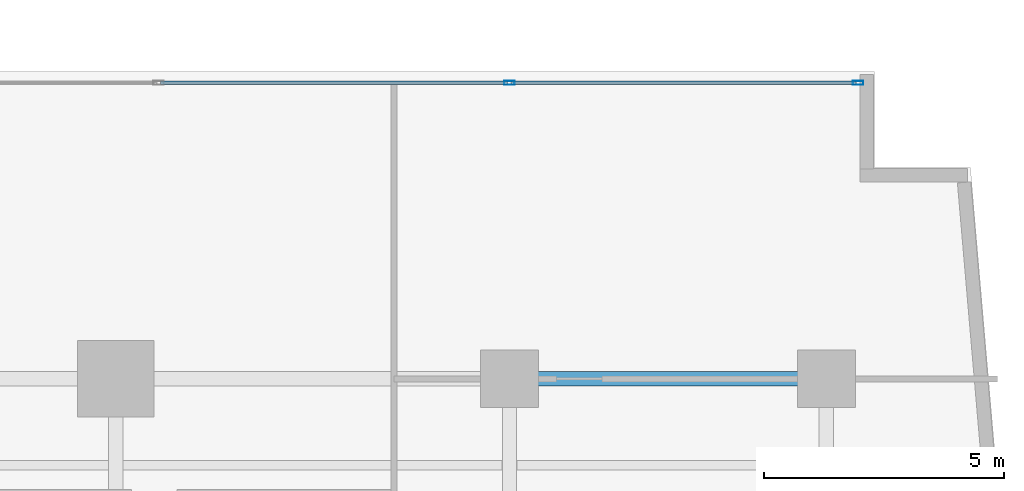
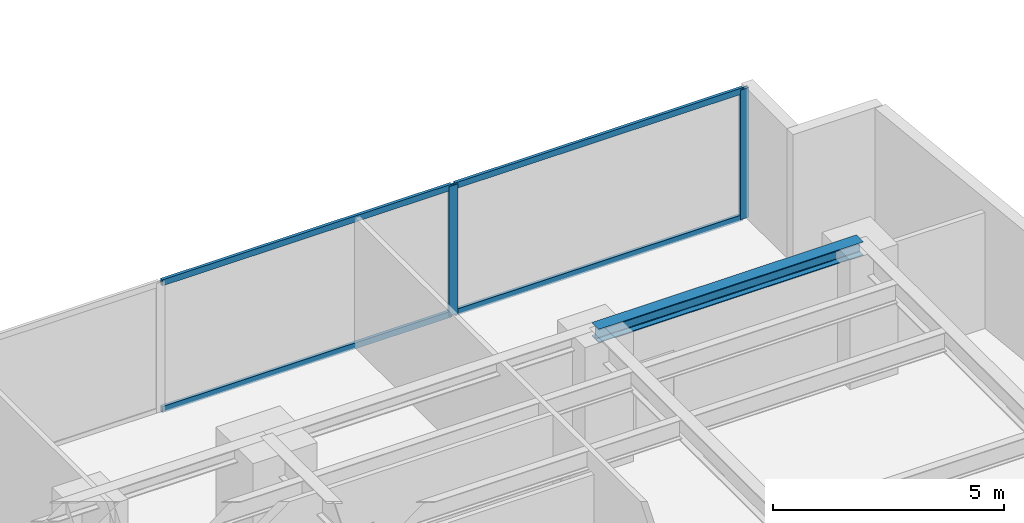
# One storey, part 14 of 28: 6 members, 1 beam, 1 element without a shape of its own.
"""IFC4 building model written with IfcOpenShell, lengths in metres."""

from ifc_helpers import new_model, si_unit, direction, frame, origin, origin_with_axes, origin_2d, place, context, subcontext, project, spatial, hollow_rectangle, i_section, extrude, source, transform, mapped, material, layer, layer_set, material_profile, profile_set, type_object, element, aggregate, save


model = new_model("IFC4")

# Units and contexts
model_context = context("Model", 3, precision=1e-05, world=origin(), true_north=direction((0.0, 1.0)))
body_context = subcontext(model_context, "Body", "Model", "MODEL_VIEW")
ifc_project = project(units=[si_unit("LENGTHUNIT", "METRE"), si_unit("AREAUNIT", "SQUARE_METRE"), si_unit("VOLUMEUNIT", "CUBIC_METRE"), si_unit("PLANEANGLEUNIT", "RADIAN"), si_unit("MASSUNIT", "GRAM", prefix="KILO")], contexts=[model_context])

# Site, building, storey
site_placement = place(None, origin())
site = spatial("IfcSite", under=ifc_project, at=site_placement, CompositionType="ELEMENT")
building_placement = place(site_placement, origin())
building = spatial("IfcBuilding", under=site, at=building_placement, Name="Kolvaren Waterfront Exchange", CompositionType="ELEMENT")
storey_placement = place(building_placement, frame((0.0, 0.0, 79.0)))
storey = spatial("IfcBuildingStorey", under=building, at=storey_placement, Name="L20", CompositionType="ELEMENT", Elevation=79.0)

# Beam
ifc_material_1 = material(Name="Steel S355", Category="steel")
ifc_material_profile_1 = material_profile(ifc_material_1, i_section(OverallWidth=0.300048828125, OverallDepth=0.360107421875, WebThickness=0.012451171875, FlangeThickness=0.0224609375, FilletRadius=0.027099609375, at=origin_2d()), Name="HEB360")
ifc_profile_set_1 = profile_set([ifc_material_profile_1], Name="Steel S355")
beam_type = type_object("IfcBeamType", Name="STR-BM-HEB360", PredefinedType="SPANDREL", material=ifc_profile_set_1)
beam_placement = place(storey_placement, frame((53.800048828125, 17.39990234375, 3.239990234375), z_axis=(1.0, 0.0, 0.0), x_axis=(0.0, 1.0, 0.0)))
element("IfcBeam", 1, at=beam_placement, inside=storey, type_object=beam_type, Name="L20 east-arm spandrel N5", PredefinedType="SPANDREL", context=body_context, shape_type="SweptSolid", body=[
    extrude(i_section(OverallWidth=0.300048828125, OverallDepth=0.360107421875, WebThickness=0.012451171875, FlangeThickness=0.0224609375, FilletRadius=0.027099609375, at=origin_2d()), origin(), (0.0, 0.0, 1.0), 6.599853515625),
])

# Curtain wall, members
ifc_material_2 = material(Name="Anodised bronze aluminium 6063-T6", Category="aluminium")
ifc_layer = layer(ifc_material_2, 0.219970703125, Name="Anodised bronze aluminium 6063-T6")
ifc_layer_set = layer_set([ifc_layer], Name="Anodised bronze aluminium 6063-T6")
curtain_wall_type = type_object("IfcCurtainWallType", Name="ARC-CW-SYS1", PredefinedType="USERDEFINED", material=ifc_layer_set)
curtain_wall_placement = place(storey_placement, origin())
curtain_wall = element("IfcCurtainWall", 2, at=curtain_wall_placement, inside=storey, type_object=curtain_wall_type, Name="L20 stick curtain wall CW1 (CW-L20-EN)", ObjectType="STICK CURTAIN WALL", PredefinedType="USERDEFINED")
ifc_material_3 = material(Name="Anodised aluminium 6063-T6", Category="aluminium")
ifc_material_profile_2 = material_profile(ifc_material_3, hollow_rectangle(XDim=0.074951171875, YDim=0.159912109375, WallThickness=0.00439453125, at=origin_2d()), Name="ALU-TRN-160x75x4.5")
ifc_profile_set_2 = profile_set([ifc_material_profile_2], Name="Anodised aluminium 6063-T6")
member_type_1 = type_object("IfcMemberType", Name="ARC-CWT-160", PredefinedType="USERDEFINED", material=ifc_profile_set_2)
shared_shape_1 = source(origin_with_axes(), body_context, "Body", "SweptSolid", [
    extrude(hollow_rectangle(XDim=0.074951171875, YDim=0.159912109375, WallThickness=0.00439453125, at=origin_2d()), origin(), (0.0, 0.0, 1.0), 7.1826171875),
])
member_1_placement = place(storey_placement, frame((53.83740234375, 23.56005859375, 0.03759765625), z_axis=(1.0, 0.0, 0.0), x_axis=(0.0, 1.0, 0.0)))
member_1 = element("IfcMember", 3, at=member_1_placement, type_object=member_type_1, Name="CW1 transom 4.1", ObjectType="TRANSOM", PredefinedType="USERDEFINED", context=body_context, shape_type="MappedRepresentation", body=[
    mapped(shared_shape_1, transform((0.0, 0.0, 0.0), x_axis=(1.0, 0.0, 0.0), y_axis=(0.0, 1.0, 0.0), z_axis=(0.0, 0.0, 1.0), scale=1.0)),
])
member_2_placement = place(storey_placement, frame((53.83740234375, 23.56005859375, 3.382568359375), z_axis=(1.0, 0.0, 0.0), x_axis=(0.0, 1.0, 0.0)))
member_2 = element("IfcMember", 4, at=member_2_placement, type_object=member_type_1, Name="CW1 transom 4.2", ObjectType="TRANSOM", PredefinedType="USERDEFINED", context=body_context, shape_type="MappedRepresentation", body=[
    mapped(shared_shape_1, transform((0.0, 0.0, 0.0), x_axis=(1.0, 0.0, 0.0), y_axis=(0.0, 1.0, 0.0), z_axis=(0.0, 0.0, 1.0), scale=1.0)),
])
shared_shape_2 = source(origin_with_axes(), body_context, "Body", "SweptSolid", [
    extrude(hollow_rectangle(XDim=0.074951171875, YDim=0.159912109375, WallThickness=0.00439453125, at=origin_2d()), origin(), (0.0, 0.0, 1.0), 7.22265625),
])
member_3_placement = place(storey_placement, frame((46.534912109375, 23.56005859375, 0.03759765625), z_axis=(1.0, 0.0, 0.0), x_axis=(0.0, 1.0, 0.0)))
member_3 = element("IfcMember", 5, at=member_3_placement, type_object=member_type_1, Name="CW1 transom 3.1", ObjectType="TRANSOM", PredefinedType="USERDEFINED", context=body_context, shape_type="MappedRepresentation", body=[
    mapped(shared_shape_2, transform((0.0, 0.0, 0.0), x_axis=(1.0, 0.0, 0.0), y_axis=(0.0, 1.0, 0.0), z_axis=(0.0, 0.0, 1.0), scale=1.0)),
])
member_4_placement = place(storey_placement, frame((46.534912109375, 23.56005859375, 3.382568359375), z_axis=(1.0, 0.0, 0.0), x_axis=(0.0, 1.0, 0.0)))
member_4 = element("IfcMember", 6, at=member_4_placement, type_object=member_type_1, Name="CW1 transom 3.2", ObjectType="TRANSOM", PredefinedType="USERDEFINED", context=body_context, shape_type="MappedRepresentation", body=[
    mapped(shared_shape_2, transform((0.0, 0.0, 0.0), x_axis=(1.0, 0.0, 0.0), y_axis=(0.0, 1.0, 0.0), z_axis=(0.0, 0.0, 1.0), scale=1.0)),
])
ifc_material_profile_3 = material_profile(ifc_material_3, hollow_rectangle(XDim=0.080078125, YDim=0.219970703125, WallThickness=0.0048828125, at=origin_2d()), Name="ALU-MUL-220x80x5")
ifc_profile_set_3 = profile_set([ifc_material_profile_3], Name="Anodised aluminium 6063-T6")
member_type_2 = type_object("IfcMemberType", Name="ARC-CWM-220", PredefinedType="MULLION", material=ifc_profile_set_3)
shared_shape_3 = source(origin_with_axes(), body_context, "Body", "SweptSolid", [
    extrude(hollow_rectangle(XDim=0.080078125, YDim=0.219970703125, WallThickness=0.0048828125, at=origin_2d()), origin(), (0.0, 0.0, 1.0), 3.419921875),
])
member_5_placement = place(storey_placement, frame((53.797607421875, 23.56005859375, 0.0), z_axis=(0.0, 0.0, 1.0), x_axis=(0.0, 1.0, 0.0)))
member_5 = element("IfcMember", 7, at=member_5_placement, type_object=member_type_2, Name="CW1 mullion 4", PredefinedType="MULLION", context=body_context, shape_type="MappedRepresentation", body=[
    mapped(shared_shape_3, transform((0.0, 0.0, 0.0), x_axis=(1.0, 0.0, 0.0), y_axis=(0.0, 1.0, 0.0), z_axis=(0.0, 0.0, 1.0), scale=1.0)),
])
member_6_placement = place(storey_placement, frame((61.06005859375, 23.56005859375, 0.0), z_axis=(0.0, 0.0, 1.0), x_axis=(0.0, 1.0, 0.0)))
member_6 = element("IfcMember", 8, at=member_6_placement, type_object=member_type_2, Name="CW1 mullion 5", PredefinedType="MULLION", context=body_context, shape_type="MappedRepresentation", body=[
    mapped(shared_shape_3, transform((0.0, 0.0, 0.0), x_axis=(1.0, 0.0, 0.0), y_axis=(0.0, 1.0, 0.0), z_axis=(0.0, 0.0, 1.0), scale=1.0)),
])
aggregate(curtain_wall, [member_5, member_6, member_3, member_4, member_1, member_2])

save(model, "model.ifc")
